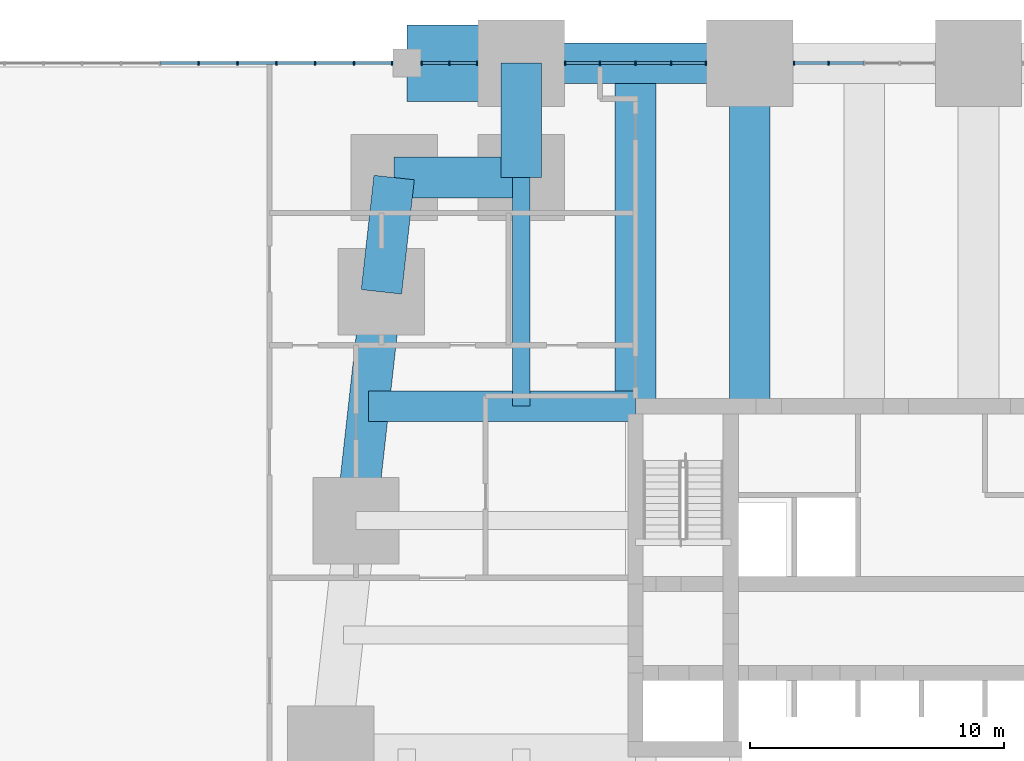
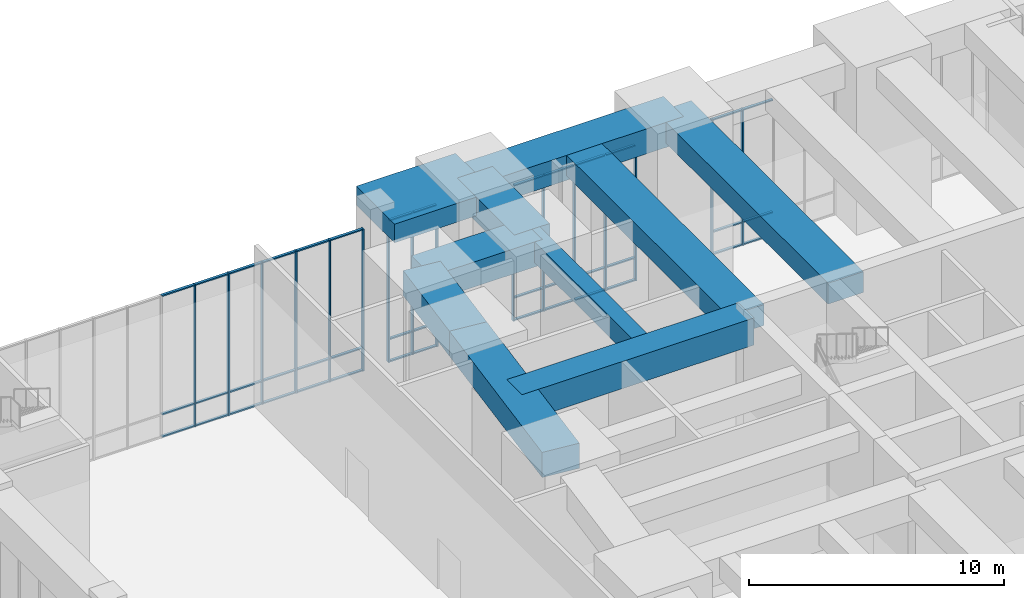
# One storey, part 9 of 26: 58 members, 10 beams, 4 elements without a shape of their own.
"""IFC4 building model written with IfcOpenShell, lengths in metres."""

from ifc_helpers import new_model, si_unit, direction, frame, origin, origin_2d, place, context, subcontext, project, spatial, rectangle, extrude, material, material_profile, profile_set, type_object, element, aggregate, save


model = new_model("IFC4")

# Units and contexts
model_context = context("Model", 3, precision=1e-05, world=origin(), true_north=direction((0.0, 1.0)))
body_context = subcontext(model_context, "Body", "Model", "MODEL_VIEW")
ifc_project = project(units=[si_unit("LENGTHUNIT", "METRE"), si_unit("AREAUNIT", "SQUARE_METRE"), si_unit("VOLUMEUNIT", "CUBIC_METRE"), si_unit("PLANEANGLEUNIT", "RADIAN"), si_unit("MASSUNIT", "GRAM", prefix="KILO")], contexts=[model_context])

# Site, building, storey
site_placement = place(None, origin())
site = spatial("IfcSite", under=ifc_project, at=site_placement, CompositionType="ELEMENT")
building_placement = place(site_placement, origin())
building = spatial("IfcBuilding", under=site, at=building_placement, Name="Kilele Tower Hotel", CompositionType="ELEMENT")
storey_placement = place(building_placement, frame((0.0, 0.0, 11.0)))
storey = spatial("IfcBuildingStorey", under=building, at=storey_placement, Name="L02", CompositionType="ELEMENT", Elevation=11.0)

# Beams
ifc_material_1 = material(Name="Concrete C60/75", Category="concrete")
ifc_material_profile_1 = material_profile(ifc_material_1, rectangle(XDim=1.60009765625, YDim=1.0, at=origin_2d()))
ifc_profile_set_1 = profile_set([ifc_material_profile_1], Name="Concrete C60/75")
beam_type_1 = type_object("IfcBeamType", Name="Beam RC 1600x1000 C60/75", PredefinedType="BEAM", material=ifc_profile_set_1)
for number, where, z_axis, x_axis, name in (
    (1, (18.0, 40.5, 7.199951171875), (0.0, -1.0, 0.0), (1.0, 0.0, 0.0), "Beam BC1 level L03"),
    (2, (13.5, 40.5, 7.199951171875), (0.0, -1.0, 0.0), (1.0, 0.0, 0.0), "Beam BC1 level L03"),
):
    element("IfcBeam", number, at=place(storey_placement, frame(where, z_axis=z_axis, x_axis=x_axis)), inside=storey, type_object=beam_type_1, Name=name, PredefinedType="BEAM", context=body_context, shape_type="SweptSolid", body=[
        extrude(rectangle(XDim=1.60009765625, YDim=1.0, at=origin_2d()), origin(), (0.0, 0.0, 1.0), 13.5),
    ])
ifc_material_2 = material(Name="Concrete C60/75", Category="concrete")
ifc_material_profile_2 = material_profile(ifc_material_2, rectangle(XDim=3.0, YDim=0.89990234375, at=origin_2d()))
ifc_profile_set_2 = profile_set([ifc_material_profile_2], Name="Concrete C60/75")
beam_type_2 = type_object("IfcBeamType", Name="Beam RC 3000x900 C60/75", PredefinedType="BEAM", material=ifc_profile_set_2)
beam_1_placement = place(storey_placement, frame((4.5, 40.5, 7.25), z_axis=(1.0, 0.0, 0.0), x_axis=(0.0, 1.0, 0.0)))
element("IfcBeam", 3, at=beam_1_placement, inside=storey, type_object=beam_type_2, Name="Beam PB1 level L03", PredefinedType="BEAM", context=body_context, shape_type="SweptSolid", body=[
    extrude(rectangle(XDim=3.0, YDim=0.89990234375, at=origin_2d()), origin(), (0.0, 0.0, 1.0), 4.5),
])
ifc_material_3 = material(Name="Concrete C60/75", Category="concrete")
ifc_material_profile_3 = material_profile(ifc_material_3, rectangle(XDim=0.699951171875, YDim=1.0, at=origin_2d()))
ifc_profile_set_3 = profile_set([ifc_material_profile_3], Name="Concrete C60/75")
beam_type_3 = type_object("IfcBeamType", Name="Beam RC 700x1000 C60/75 mid span", PredefinedType="BEAM", material=ifc_profile_set_3)
beam_2_placement = place(storey_placement, frame((9.0, 36.0, 7.199951171875), z_axis=(0.0, -1.0, 0.0), x_axis=(1.0, 0.0, 0.0)))
element("IfcBeam", 4, at=beam_2_placement, inside=storey, type_object=beam_type_3, Name="Beam B5 level L03", PredefinedType="BEAM", context=body_context, shape_type="SweptSolid", body=[
    extrude(rectangle(XDim=0.699951171875, YDim=1.0, at=origin_2d()), origin(), (0.0, 0.0, 1.0), 9.0),
])
ifc_material_4 = material(Name="Concrete C60/75", Category="concrete")
ifc_material_profile_4 = material_profile(ifc_material_4, rectangle(XDim=1.199951171875, YDim=1.300048828125, at=origin_2d()))
ifc_profile_set_4 = profile_set([ifc_material_profile_4], Name="Concrete C60/75")
beam_type_4 = type_object("IfcBeamType", Name="Girder RC 1200x1300 C60/75 mid span", PredefinedType="BEAM", material=ifc_profile_set_4)
beam_3_placement = place(storey_placement, frame((3.0, 27.0, 7.050048828125), z_axis=(1.0, 0.0, 0.0), x_axis=(0.0, 1.0, 0.0)))
element("IfcBeam", 5, at=beam_3_placement, inside=storey, type_object=beam_type_4, Name="Girder G3 level L03", PredefinedType="BEAM", context=body_context, shape_type="SweptSolid", body=[
    extrude(rectangle(XDim=1.199951171875, YDim=1.300048828125, at=origin_2d()), origin(), (0.0, 0.0, 1.0), 10.5),
])

# Curtain wall, members
ifc_material_5 = material(Name="Aluminium curtain wall, clear double glazing", Category="aluminium")
curtain_wall_type = type_object("IfcCurtainWallType", Name="Podium curtain wall CW-1", PredefinedType="NOTDEFINED", material=ifc_material_5)
curtain_wall_1_placement = place(storey_placement, origin())
curtain_wall_1 = element("IfcCurtainWall", 6, at=curtain_wall_1_placement, inside=storey, type_object=curtain_wall_type, Name="Podium curtain wall CW-1 L02", PredefinedType="NOTDEFINED")
ifc_material_6 = material(Name="Aluminium EN AW-6063 T6", Category="aluminium")
ifc_material_profile_5 = material_profile(ifc_material_6, rectangle(XDim=0.159912109375, YDim=0.06005859375, at=origin_2d()))
ifc_profile_set_5 = profile_set([ifc_material_profile_5], Name="Aluminium EN AW-6063 T6")
member_type_1 = type_object("IfcMemberType", Name="Mullion 60x160 CW-1", PredefinedType="MULLION", material=ifc_profile_set_5)
member_1_placement = place(storey_placement, frame((21.10009765625, 40.5, 0.0), z_axis=(0.0, 0.0, 1.0), x_axis=(0.0, -1.0, 0.0)))
member_1 = element("IfcMember", 7, at=member_1_placement, type_object=member_type_1, Name="CW-1 mullion 4", PredefinedType="MULLION", context=body_context, shape_type="SweptSolid", body=[
    extrude(rectangle(XDim=0.159912109375, YDim=0.06005859375, at=origin_2d()), origin(), (0.0, 0.0, 1.0), 6.5),
])
member_2_placement = place(storey_placement, frame((19.72998046875, 40.5, 0.0), z_axis=(0.0, 0.0, 1.0), x_axis=(0.0, -1.0, 0.0)))
member_2 = element("IfcMember", 8, at=member_2_placement, type_object=member_type_1, Name="CW-1 mullion 5", PredefinedType="MULLION", context=body_context, shape_type="SweptSolid", body=[
    extrude(rectangle(XDim=0.159912109375, YDim=0.06005859375, at=origin_2d()), origin(), (0.0, 0.0, 1.0), 6.5),
])

curtain_wall_2_placement = place(storey_placement, origin())
curtain_wall_2 = element("IfcCurtainWall", 9, at=curtain_wall_2_placement, inside=storey, type_object=curtain_wall_type, Name="Podium curtain wall CW-1 L02", PredefinedType="NOTDEFINED")
member_3_placement = place(storey_placement, frame((16.27001953125, 40.5, 0.0), z_axis=(0.0, 0.0, 1.0), x_axis=(0.0, -1.0, 0.0)))
member_3 = element("IfcMember", 10, at=member_3_placement, type_object=member_type_1, Name="CW-1 mullion 1", PredefinedType="MULLION", context=body_context, shape_type="SweptSolid", body=[
    extrude(rectangle(XDim=0.159912109375, YDim=0.06005859375, at=origin_2d()), origin(), (0.0, 0.0, 1.0), 6.5),
])
member_4_placement = place(storey_placement, frame((14.89990234375, 40.5, 0.0), z_axis=(0.0, 0.0, 1.0), x_axis=(0.0, -1.0, 0.0)))
member_4 = element("IfcMember", 11, at=member_4_placement, type_object=member_type_1, Name="CW-1 mullion 2", PredefinedType="MULLION", context=body_context, shape_type="SweptSolid", body=[
    extrude(rectangle(XDim=0.159912109375, YDim=0.06005859375, at=origin_2d()), origin(), (0.0, 0.0, 1.0), 6.5),
])
member_5_placement = place(storey_placement, frame((13.5, 40.5, 0.0), z_axis=(0.0, 0.0, 1.0), x_axis=(0.0, -1.0, 0.0)))
member_5 = element("IfcMember", 12, at=member_5_placement, type_object=member_type_1, Name="CW-1 mullion 3", PredefinedType="MULLION", context=body_context, shape_type="SweptSolid", body=[
    extrude(rectangle(XDim=0.159912109375, YDim=0.06005859375, at=origin_2d()), origin(), (0.0, 0.0, 1.0), 6.5),
])
member_6_placement = place(storey_placement, frame((12.10009765625, 40.5, 0.0), z_axis=(0.0, 0.0, 1.0), x_axis=(0.0, -1.0, 0.0)))
member_6 = element("IfcMember", 13, at=member_6_placement, type_object=member_type_1, Name="CW-1 mullion 4", PredefinedType="MULLION", context=body_context, shape_type="SweptSolid", body=[
    extrude(rectangle(XDim=0.159912109375, YDim=0.06005859375, at=origin_2d()), origin(), (0.0, 0.0, 1.0), 6.5),
])
member_7_placement = place(storey_placement, frame((10.72998046875, 40.5, 0.0), z_axis=(0.0, 0.0, 1.0), x_axis=(0.0, -1.0, 0.0)))
member_7 = element("IfcMember", 14, at=member_7_placement, type_object=member_type_1, Name="CW-1 mullion 5", PredefinedType="MULLION", context=body_context, shape_type="SweptSolid", body=[
    extrude(rectangle(XDim=0.159912109375, YDim=0.06005859375, at=origin_2d()), origin(), (0.0, 0.0, 1.0), 6.5),
])

curtain_wall_3_placement = place(storey_placement, origin())
curtain_wall_3 = element("IfcCurtainWall", 15, at=curtain_wall_3_placement, inside=storey, type_object=curtain_wall_type, Name="Podium curtain wall CW-1 L02", PredefinedType="NOTDEFINED")
member_8_placement = place(storey_placement, frame((7.27001953125, 40.5, 0.0), z_axis=(0.0, 0.0, 1.0), x_axis=(0.0, -1.0, 0.0)))
member_8 = element("IfcMember", 16, at=member_8_placement, type_object=member_type_1, Name="CW-1 mullion 1", PredefinedType="MULLION", context=body_context, shape_type="SweptSolid", body=[
    extrude(rectangle(XDim=0.159912109375, YDim=0.06005859375, at=origin_2d()), origin(), (0.0, 0.0, 1.0), 6.800048828125),
])
member_9_placement = place(storey_placement, frame((6.175048828125, 40.5, 0.0), z_axis=(0.0, 0.0, 1.0), x_axis=(0.0, -1.0, 0.0)))
member_9 = element("IfcMember", 17, at=member_9_placement, type_object=member_type_1, Name="CW-1 mullion 2", PredefinedType="MULLION", context=body_context, shape_type="SweptSolid", body=[
    extrude(rectangle(XDim=0.159912109375, YDim=0.06005859375, at=origin_2d()), origin(), (0.0, 0.0, 1.0), 6.800048828125),
])
member_10_placement = place(storey_placement, frame((5.080078125, 40.5, 0.0), z_axis=(0.0, 0.0, 1.0), x_axis=(0.0, -1.0, 0.0)))
member_10 = element("IfcMember", 18, at=member_10_placement, type_object=member_type_1, Name="CW-1 mullion 3", PredefinedType="MULLION", context=body_context, shape_type="SweptSolid", body=[
    extrude(rectangle(XDim=0.159912109375, YDim=0.06005859375, at=origin_2d()), origin(), (0.0, 0.0, 1.0), 6.800048828125),
])

curtain_wall_4_placement = place(storey_placement, origin())
curtain_wall_4 = element("IfcCurtainWall", 19, at=curtain_wall_4_placement, inside=storey, type_object=curtain_wall_type, Name="Podium curtain wall CW-1 L02", PredefinedType="NOTDEFINED")
member_11_placement = place(storey_placement, frame((3.919921875, 40.5, 0.0), z_axis=(0.0, 0.0, 1.0), x_axis=(0.0, -1.0, 0.0)))
member_11 = element("IfcMember", 20, at=member_11_placement, type_object=member_type_1, Name="CW-1 mullion 1", PredefinedType="MULLION", context=body_context, shape_type="SweptSolid", body=[
    extrude(rectangle(XDim=0.159912109375, YDim=0.06005859375, at=origin_2d()), origin(), (0.0, 0.0, 1.0), 6.800048828125),
])
member_12_placement = place(storey_placement, frame((2.42138671875, 40.5, 0.0), z_axis=(0.0, 0.0, 1.0), x_axis=(0.0, -1.0, 0.0)))
member_12 = element("IfcMember", 21, at=member_12_placement, type_object=member_type_1, Name="CW-1 mullion 2", PredefinedType="MULLION", context=body_context, shape_type="SweptSolid", body=[
    extrude(rectangle(XDim=0.159912109375, YDim=0.06005859375, at=origin_2d()), origin(), (0.0, 0.0, 1.0), 6.800048828125),
])
member_13_placement = place(storey_placement, frame((0.892822265625, 40.5, 0.0), z_axis=(0.0, 0.0, 1.0), x_axis=(0.0, -1.0, 0.0)))
member_13 = element("IfcMember", 22, at=member_13_placement, type_object=member_type_1, Name="CW-1 mullion 3", PredefinedType="MULLION", context=body_context, shape_type="SweptSolid", body=[
    extrude(rectangle(XDim=0.159912109375, YDim=0.06005859375, at=origin_2d()), origin(), (0.0, 0.0, 1.0), 6.800048828125),
])
member_14_placement = place(storey_placement, frame((-0.6357421875, 40.5, 0.0), z_axis=(0.0, 0.0, 1.0), x_axis=(0.0, -1.0, 0.0)))
member_14 = element("IfcMember", 23, at=member_14_placement, type_object=member_type_1, Name="CW-1 mullion 4", PredefinedType="MULLION", context=body_context, shape_type="SweptSolid", body=[
    extrude(rectangle(XDim=0.159912109375, YDim=0.06005859375, at=origin_2d()), origin(), (0.0, 0.0, 1.0), 6.800048828125),
])
member_15_placement = place(storey_placement, frame((-2.164306640625, 40.5, 0.0), z_axis=(0.0, 0.0, 1.0), x_axis=(0.0, -1.0, 0.0)))
member_15 = element("IfcMember", 24, at=member_15_placement, type_object=member_type_1, Name="CW-1 mullion 5", PredefinedType="MULLION", context=body_context, shape_type="SweptSolid", body=[
    extrude(rectangle(XDim=0.159912109375, YDim=0.06005859375, at=origin_2d()), origin(), (0.0, 0.0, 1.0), 6.800048828125),
])
member_16_placement = place(storey_placement, frame((-3.69287109375, 40.5, 0.0), z_axis=(0.0, 0.0, 1.0), x_axis=(0.0, -1.0, 0.0)))
member_16 = element("IfcMember", 25, at=member_16_placement, type_object=member_type_1, Name="CW-1 mullion 6", PredefinedType="MULLION", context=body_context, shape_type="SweptSolid", body=[
    extrude(rectangle(XDim=0.159912109375, YDim=0.06005859375, at=origin_2d()), origin(), (0.0, 0.0, 1.0), 6.800048828125),
])

# Beams
ifc_material_7 = material(Name="Concrete C60/75", Category="concrete")
ifc_material_profile_6 = material_profile(ifc_material_7, rectangle(XDim=1.60009765625, YDim=1.199951171875, at=origin_2d()))
ifc_profile_set_6 = profile_set([ifc_material_profile_6], Name="Concrete C60/75")
beam_type_5 = type_object("IfcBeamType", Name="Spandrel RC 1600x1200 C60/75", PredefinedType="SPANDREL", material=ifc_profile_set_6)
beam_4_placement = place(storey_placement, frame((18.0, 40.5, 7.10009765625), z_axis=(-1.0, 0.0, 0.0), x_axis=(0.0, -1.0, 0.0)))
element("IfcBeam", 26, at=beam_4_placement, inside=storey, type_object=beam_type_5, Name="Spandrel SP11 level L03", PredefinedType="SPANDREL", context=body_context, shape_type="SweptSolid", body=[
    extrude(rectangle(XDim=1.60009765625, YDim=1.199951171875, at=origin_2d()), origin(), (0.0, 0.0, 1.0), 9.0),
])
beam_5_placement = place(storey_placement, frame((9.0, 40.5, 7.10009765625), z_axis=(0.0, -1.0, 0.0), x_axis=(1.0, 0.0, 0.0)))
element("IfcBeam", 27, at=beam_5_placement, inside=storey, type_object=beam_type_5, Name="Spandrel SP11 level L03", PredefinedType="SPANDREL", context=body_context, shape_type="SweptSolid", body=[
    extrude(rectangle(XDim=1.60009765625, YDim=1.199951171875, at=origin_2d()), origin(), (0.0, 0.0, 1.0), 4.5),
])
beam_6_placement = place(storey_placement, frame((9.0, 36.0, 7.10009765625), z_axis=(-1.0, 0.0, 0.0), x_axis=(0.0, -1.0, 0.0)))
element("IfcBeam", 28, at=beam_6_placement, inside=storey, type_object=beam_type_5, Name="Spandrel SP11 level L03", PredefinedType="SPANDREL", context=body_context, shape_type="SweptSolid", body=[
    extrude(rectangle(XDim=1.60009765625, YDim=1.199951171875, at=origin_2d()), origin(), (0.0, 0.0, 1.0), 5.0),
])
beam_7_placement = place(storey_placement, frame((4.0, 36.0, 7.10009765625), z_axis=(-0.110431526075, -0.993883734674, 0.0), x_axis=(0.993883734674, -0.110431526075, 0.0)))
element("IfcBeam", 29, at=beam_7_placement, inside=storey, type_object=beam_type_5, Name="Spandrel SP11 level L03", PredefinedType="SPANDREL", context=body_context, shape_type="SweptSolid", body=[
    extrude(rectangle(XDim=1.60009765625, YDim=1.199951171875, at=origin_2d()), origin(), (0.0, 0.0, 1.0), 4.527587890625),
])
beam_8_placement = place(storey_placement, frame((3.5, 31.5, 7.10009765625), z_axis=(-0.110431526075, -0.993883734674, 0.0), x_axis=(0.993883734674, -0.110431526075, 0.0)))
element("IfcBeam", 30, at=beam_8_placement, inside=storey, type_object=beam_type_5, Name="Spandrel SP11 level L03", PredefinedType="SPANDREL", context=body_context, shape_type="SweptSolid", body=[
    extrude(rectangle(XDim=1.60009765625, YDim=1.199951171875, at=origin_2d()), origin(), (0.0, 0.0, 1.0), 9.055419921875),
])

# Member
ifc_material_8 = material(Name="Aluminium EN AW-6063 T6", Category="aluminium")
ifc_material_profile_7 = material_profile(ifc_material_8, rectangle(XDim=0.1201171875, YDim=0.06005859375, at=origin_2d()))
ifc_profile_set_7 = profile_set([ifc_material_profile_7], Name="Aluminium EN AW-6063 T6")
member_type_2 = type_object("IfcMemberType", Name="Transom 60x120 CW-1", PredefinedType="USERDEFINED", material=ifc_profile_set_7)
member_17_placement = place(storey_placement, frame((22.469970703125, 40.5, 0.030029296875), z_axis=(-1.0, 0.0, 0.0), x_axis=(0.0, -1.0, 0.0)))
member_17 = element("IfcMember", 31, at=member_17_placement, type_object=member_type_2, Name="CW-1 transom 3.1", ObjectType="TRANSOM", PredefinedType="USERDEFINED", context=body_context, shape_type="SweptSolid", body=[
    extrude(rectangle(XDim=0.1201171875, YDim=0.06005859375, at=origin_2d()), origin(), (0.0, 0.0, 1.0), 1.340087890625),
])

member_18_placement = place(storey_placement, frame((22.469970703125, 40.5, 1.10009765625), z_axis=(-1.0, 0.0, 0.0), x_axis=(0.0, -1.0, 0.0)))
member_18 = element("IfcMember", 32, at=member_18_placement, type_object=member_type_2, Name="CW-1 transom 3.2", ObjectType="TRANSOM", PredefinedType="USERDEFINED", context=body_context, shape_type="SweptSolid", body=[
    extrude(rectangle(XDim=0.1201171875, YDim=0.06005859375, at=origin_2d()), origin(), (0.0, 0.0, 1.0), 1.340087890625),
])

member_19_placement = place(storey_placement, frame((22.469970703125, 40.5, 6.469970703125), z_axis=(-1.0, 0.0, 0.0), x_axis=(0.0, -1.0, 0.0)))
member_19 = element("IfcMember", 33, at=member_19_placement, type_object=member_type_2, Name="CW-1 transom 3.3", ObjectType="TRANSOM", PredefinedType="USERDEFINED", context=body_context, shape_type="SweptSolid", body=[
    extrude(rectangle(XDim=0.1201171875, YDim=0.06005859375, at=origin_2d()), origin(), (0.0, 0.0, 1.0), 1.340087890625),
])

member_20_placement = place(storey_placement, frame((21.070068359375, 40.5, 0.030029296875), z_axis=(-1.0, 0.0, 0.0), x_axis=(0.0, -1.0, 0.0)))
member_20 = element("IfcMember", 34, at=member_20_placement, type_object=member_type_2, Name="CW-1 transom 4.1", ObjectType="TRANSOM", PredefinedType="USERDEFINED", context=body_context, shape_type="SweptSolid", body=[
    extrude(rectangle(XDim=0.1201171875, YDim=0.06005859375, at=origin_2d()), origin(), (0.0, 0.0, 1.0), 1.31005859375),
])

member_21_placement = place(storey_placement, frame((21.070068359375, 40.5, 1.10009765625), z_axis=(-1.0, 0.0, 0.0), x_axis=(0.0, -1.0, 0.0)))
member_21 = element("IfcMember", 35, at=member_21_placement, type_object=member_type_2, Name="CW-1 transom 4.2", ObjectType="TRANSOM", PredefinedType="USERDEFINED", context=body_context, shape_type="SweptSolid", body=[
    extrude(rectangle(XDim=0.1201171875, YDim=0.06005859375, at=origin_2d()), origin(), (0.0, 0.0, 1.0), 1.31005859375),
])

member_22_placement = place(storey_placement, frame((21.070068359375, 40.5, 6.469970703125), z_axis=(-1.0, 0.0, 0.0), x_axis=(0.0, -1.0, 0.0)))
member_22 = element("IfcMember", 36, at=member_22_placement, type_object=member_type_2, Name="CW-1 transom 4.3", ObjectType="TRANSOM", PredefinedType="USERDEFINED", context=body_context, shape_type="SweptSolid", body=[
    extrude(rectangle(XDim=0.1201171875, YDim=0.06005859375, at=origin_2d()), origin(), (0.0, 0.0, 1.0), 1.31005859375),
])

aggregate(curtain_wall_1, [member_1, member_2, member_17, member_18, member_19, member_20, member_21, member_22])

member_23_placement = place(storey_placement, frame((16.239990234375, 40.5, 0.030029296875), z_axis=(-1.0, 0.0, 0.0), x_axis=(0.0, -1.0, 0.0)))
member_23 = element("IfcMember", 37, at=member_23_placement, type_object=member_type_2, Name="CW-1 transom 1.1", ObjectType="TRANSOM", PredefinedType="USERDEFINED", context=body_context, shape_type="SweptSolid", body=[
    extrude(rectangle(XDim=0.1201171875, YDim=0.06005859375, at=origin_2d()), origin(), (0.0, 0.0, 1.0), 1.31005859375),
])

member_24_placement = place(storey_placement, frame((16.239990234375, 40.5, 1.10009765625), z_axis=(-1.0, 0.0, 0.0), x_axis=(0.0, -1.0, 0.0)))
member_24 = element("IfcMember", 38, at=member_24_placement, type_object=member_type_2, Name="CW-1 transom 1.2", ObjectType="TRANSOM", PredefinedType="USERDEFINED", context=body_context, shape_type="SweptSolid", body=[
    extrude(rectangle(XDim=0.1201171875, YDim=0.06005859375, at=origin_2d()), origin(), (0.0, 0.0, 1.0), 1.31005859375),
])

member_25_placement = place(storey_placement, frame((16.239990234375, 40.5, 6.469970703125), z_axis=(-1.0, 0.0, 0.0), x_axis=(0.0, -1.0, 0.0)))
member_25 = element("IfcMember", 39, at=member_25_placement, type_object=member_type_2, Name="CW-1 transom 1.3", ObjectType="TRANSOM", PredefinedType="USERDEFINED", context=body_context, shape_type="SweptSolid", body=[
    extrude(rectangle(XDim=0.1201171875, YDim=0.06005859375, at=origin_2d()), origin(), (0.0, 0.0, 1.0), 1.31005859375),
])

member_26_placement = place(storey_placement, frame((14.8701171875, 40.5, 0.030029296875), z_axis=(-1.0, 0.0, 0.0), x_axis=(0.0, -1.0, 0.0)))
member_26 = element("IfcMember", 40, at=member_26_placement, type_object=member_type_2, Name="CW-1 transom 2.1", ObjectType="TRANSOM", PredefinedType="USERDEFINED", context=body_context, shape_type="SweptSolid", body=[
    extrude(rectangle(XDim=0.1201171875, YDim=0.06005859375, at=origin_2d()), origin(), (0.0, 0.0, 1.0), 1.340087890625),
])

member_27_placement = place(storey_placement, frame((14.8701171875, 40.5, 1.10009765625), z_axis=(-1.0, 0.0, 0.0), x_axis=(0.0, -1.0, 0.0)))
member_27 = element("IfcMember", 41, at=member_27_placement, type_object=member_type_2, Name="CW-1 transom 2.2", ObjectType="TRANSOM", PredefinedType="USERDEFINED", context=body_context, shape_type="SweptSolid", body=[
    extrude(rectangle(XDim=0.1201171875, YDim=0.06005859375, at=origin_2d()), origin(), (0.0, 0.0, 1.0), 1.340087890625),
])

member_28_placement = place(storey_placement, frame((14.8701171875, 40.5, 6.469970703125), z_axis=(-1.0, 0.0, 0.0), x_axis=(0.0, -1.0, 0.0)))
member_28 = element("IfcMember", 42, at=member_28_placement, type_object=member_type_2, Name="CW-1 transom 2.3", ObjectType="TRANSOM", PredefinedType="USERDEFINED", context=body_context, shape_type="SweptSolid", body=[
    extrude(rectangle(XDim=0.1201171875, YDim=0.06005859375, at=origin_2d()), origin(), (0.0, 0.0, 1.0), 1.340087890625),
])

member_29_placement = place(storey_placement, frame((13.469970703125, 40.5, 0.030029296875), z_axis=(-1.0, 0.0, 0.0), x_axis=(0.0, -1.0, 0.0)))
member_29 = element("IfcMember", 43, at=member_29_placement, type_object=member_type_2, Name="CW-1 transom 3.1", ObjectType="TRANSOM", PredefinedType="USERDEFINED", context=body_context, shape_type="SweptSolid", body=[
    extrude(rectangle(XDim=0.1201171875, YDim=0.06005859375, at=origin_2d()), origin(), (0.0, 0.0, 1.0), 1.340087890625),
])

member_30_placement = place(storey_placement, frame((13.469970703125, 40.5, 1.10009765625), z_axis=(-1.0, 0.0, 0.0), x_axis=(0.0, -1.0, 0.0)))
member_30 = element("IfcMember", 44, at=member_30_placement, type_object=member_type_2, Name="CW-1 transom 3.2", ObjectType="TRANSOM", PredefinedType="USERDEFINED", context=body_context, shape_type="SweptSolid", body=[
    extrude(rectangle(XDim=0.1201171875, YDim=0.06005859375, at=origin_2d()), origin(), (0.0, 0.0, 1.0), 1.340087890625),
])

member_31_placement = place(storey_placement, frame((13.469970703125, 40.5, 6.469970703125), z_axis=(-1.0, 0.0, 0.0), x_axis=(0.0, -1.0, 0.0)))
member_31 = element("IfcMember", 45, at=member_31_placement, type_object=member_type_2, Name="CW-1 transom 3.3", ObjectType="TRANSOM", PredefinedType="USERDEFINED", context=body_context, shape_type="SweptSolid", body=[
    extrude(rectangle(XDim=0.1201171875, YDim=0.06005859375, at=origin_2d()), origin(), (0.0, 0.0, 1.0), 1.340087890625),
])

member_32_placement = place(storey_placement, frame((12.070068359375, 40.5, 0.030029296875), z_axis=(-1.0, 0.0, 0.0), x_axis=(0.0, -1.0, 0.0)))
member_32 = element("IfcMember", 46, at=member_32_placement, type_object=member_type_2, Name="CW-1 transom 4.1", ObjectType="TRANSOM", PredefinedType="USERDEFINED", context=body_context, shape_type="SweptSolid", body=[
    extrude(rectangle(XDim=0.1201171875, YDim=0.06005859375, at=origin_2d()), origin(), (0.0, 0.0, 1.0), 1.31005859375),
])

member_33_placement = place(storey_placement, frame((12.070068359375, 40.5, 1.10009765625), z_axis=(-1.0, 0.0, 0.0), x_axis=(0.0, -1.0, 0.0)))
member_33 = element("IfcMember", 47, at=member_33_placement, type_object=member_type_2, Name="CW-1 transom 4.2", ObjectType="TRANSOM", PredefinedType="USERDEFINED", context=body_context, shape_type="SweptSolid", body=[
    extrude(rectangle(XDim=0.1201171875, YDim=0.06005859375, at=origin_2d()), origin(), (0.0, 0.0, 1.0), 1.31005859375),
])

member_34_placement = place(storey_placement, frame((12.070068359375, 40.5, 6.469970703125), z_axis=(-1.0, 0.0, 0.0), x_axis=(0.0, -1.0, 0.0)))
member_34 = element("IfcMember", 48, at=member_34_placement, type_object=member_type_2, Name="CW-1 transom 4.3", ObjectType="TRANSOM", PredefinedType="USERDEFINED", context=body_context, shape_type="SweptSolid", body=[
    extrude(rectangle(XDim=0.1201171875, YDim=0.06005859375, at=origin_2d()), origin(), (0.0, 0.0, 1.0), 1.31005859375),
])

aggregate(curtain_wall_2, [member_3, member_4, member_5, member_6, member_7, member_23, member_24, member_25, member_26, member_27, member_28, member_29, member_30, member_31, member_32, member_33, member_34])

member_35_placement = place(storey_placement, frame((7.239990234375, 40.5, 0.030029296875), z_axis=(-1.0, 0.0, 0.0), x_axis=(0.0, -1.0, 0.0)))
member_35 = element("IfcMember", 49, at=member_35_placement, type_object=member_type_2, Name="CW-1 transom 1.1", ObjectType="TRANSOM", PredefinedType="USERDEFINED", context=body_context, shape_type="SweptSolid", body=[
    extrude(rectangle(XDim=0.1201171875, YDim=0.06005859375, at=origin_2d()), origin(), (0.0, 0.0, 1.0), 1.034912109375),
])

member_36_placement = place(storey_placement, frame((7.239990234375, 40.5, 1.10009765625), z_axis=(-1.0, 0.0, 0.0), x_axis=(0.0, -1.0, 0.0)))
member_36 = element("IfcMember", 50, at=member_36_placement, type_object=member_type_2, Name="CW-1 transom 1.2", ObjectType="TRANSOM", PredefinedType="USERDEFINED", context=body_context, shape_type="SweptSolid", body=[
    extrude(rectangle(XDim=0.1201171875, YDim=0.06005859375, at=origin_2d()), origin(), (0.0, 0.0, 1.0), 1.034912109375),
])

member_37_placement = place(storey_placement, frame((7.239990234375, 40.5, 6.77001953125), z_axis=(-1.0, 0.0, 0.0), x_axis=(0.0, -1.0, 0.0)))
member_37 = element("IfcMember", 51, at=member_37_placement, type_object=member_type_2, Name="CW-1 transom 1.3", ObjectType="TRANSOM", PredefinedType="USERDEFINED", context=body_context, shape_type="SweptSolid", body=[
    extrude(rectangle(XDim=0.1201171875, YDim=0.06005859375, at=origin_2d()), origin(), (0.0, 0.0, 1.0), 1.034912109375),
])

member_38_placement = place(storey_placement, frame((6.14501953125, 40.5, 0.030029296875), z_axis=(-1.0, 0.0, 0.0), x_axis=(0.0, -1.0, 0.0)))
member_38 = element("IfcMember", 52, at=member_38_placement, type_object=member_type_2, Name="CW-1 transom 2.1", ObjectType="TRANSOM", PredefinedType="USERDEFINED", context=body_context, shape_type="SweptSolid", body=[
    extrude(rectangle(XDim=0.1201171875, YDim=0.06005859375, at=origin_2d()), origin(), (0.0, 0.0, 1.0), 1.034912109375),
])

member_39_placement = place(storey_placement, frame((6.14501953125, 40.5, 1.10009765625), z_axis=(-1.0, 0.0, 0.0), x_axis=(0.0, -1.0, 0.0)))
member_39 = element("IfcMember", 53, at=member_39_placement, type_object=member_type_2, Name="CW-1 transom 2.2", ObjectType="TRANSOM", PredefinedType="USERDEFINED", context=body_context, shape_type="SweptSolid", body=[
    extrude(rectangle(XDim=0.1201171875, YDim=0.06005859375, at=origin_2d()), origin(), (0.0, 0.0, 1.0), 1.034912109375),
])

member_40_placement = place(storey_placement, frame((6.14501953125, 40.5, 6.77001953125), z_axis=(-1.0, 0.0, 0.0), x_axis=(0.0, -1.0, 0.0)))
member_40 = element("IfcMember", 54, at=member_40_placement, type_object=member_type_2, Name="CW-1 transom 2.3", ObjectType="TRANSOM", PredefinedType="USERDEFINED", context=body_context, shape_type="SweptSolid", body=[
    extrude(rectangle(XDim=0.1201171875, YDim=0.06005859375, at=origin_2d()), origin(), (0.0, 0.0, 1.0), 1.034912109375),
])

aggregate(curtain_wall_3, [member_8, member_9, member_10, member_35, member_36, member_37, member_38, member_39, member_40])

member_41_placement = place(storey_placement, frame((3.889892578125, 40.5, 0.030029296875), z_axis=(-1.0, 0.0, 0.0), x_axis=(0.0, -1.0, 0.0)))
member_41 = element("IfcMember", 55, at=member_41_placement, type_object=member_type_2, Name="CW-1 transom 1.1", ObjectType="TRANSOM", PredefinedType="USERDEFINED", context=body_context, shape_type="SweptSolid", body=[
    extrude(rectangle(XDim=0.1201171875, YDim=0.06005859375, at=origin_2d()), origin(), (0.0, 0.0, 1.0), 1.4384765625),
])

member_42_placement = place(storey_placement, frame((3.889892578125, 40.5, 1.10009765625), z_axis=(-1.0, 0.0, 0.0), x_axis=(0.0, -1.0, 0.0)))
member_42 = element("IfcMember", 56, at=member_42_placement, type_object=member_type_2, Name="CW-1 transom 1.2", ObjectType="TRANSOM", PredefinedType="USERDEFINED", context=body_context, shape_type="SweptSolid", body=[
    extrude(rectangle(XDim=0.1201171875, YDim=0.06005859375, at=origin_2d()), origin(), (0.0, 0.0, 1.0), 1.4384765625),
])

member_43_placement = place(storey_placement, frame((3.889892578125, 40.5, 6.77001953125), z_axis=(-1.0, 0.0, 0.0), x_axis=(0.0, -1.0, 0.0)))
member_43 = element("IfcMember", 57, at=member_43_placement, type_object=member_type_2, Name="CW-1 transom 1.3", ObjectType="TRANSOM", PredefinedType="USERDEFINED", context=body_context, shape_type="SweptSolid", body=[
    extrude(rectangle(XDim=0.1201171875, YDim=0.06005859375, at=origin_2d()), origin(), (0.0, 0.0, 1.0), 1.4384765625),
])

member_44_placement = place(storey_placement, frame((2.391357421875, 40.5, 0.030029296875), z_axis=(-1.0, 0.0, 0.0), x_axis=(0.0, -1.0, 0.0)))
member_44 = element("IfcMember", 58, at=member_44_placement, type_object=member_type_2, Name="CW-1 transom 2.1", ObjectType="TRANSOM", PredefinedType="USERDEFINED", context=body_context, shape_type="SweptSolid", body=[
    extrude(rectangle(XDim=0.1201171875, YDim=0.06005859375, at=origin_2d()), origin(), (0.0, 0.0, 1.0), 1.468505859375),
])

member_45_placement = place(storey_placement, frame((2.391357421875, 40.5, 1.10009765625), z_axis=(-1.0, 0.0, 0.0), x_axis=(0.0, -1.0, 0.0)))
member_45 = element("IfcMember", 59, at=member_45_placement, type_object=member_type_2, Name="CW-1 transom 2.2", ObjectType="TRANSOM", PredefinedType="USERDEFINED", context=body_context, shape_type="SweptSolid", body=[
    extrude(rectangle(XDim=0.1201171875, YDim=0.06005859375, at=origin_2d()), origin(), (0.0, 0.0, 1.0), 1.468505859375),
])

member_46_placement = place(storey_placement, frame((2.391357421875, 40.5, 6.77001953125), z_axis=(-1.0, 0.0, 0.0), x_axis=(0.0, -1.0, 0.0)))
member_46 = element("IfcMember", 60, at=member_46_placement, type_object=member_type_2, Name="CW-1 transom 2.3", ObjectType="TRANSOM", PredefinedType="USERDEFINED", context=body_context, shape_type="SweptSolid", body=[
    extrude(rectangle(XDim=0.1201171875, YDim=0.06005859375, at=origin_2d()), origin(), (0.0, 0.0, 1.0), 1.468505859375),
])

member_47_placement = place(storey_placement, frame((0.86279296875, 40.5, 0.030029296875), z_axis=(-1.0, 0.0, 0.0), x_axis=(0.0, -1.0, 0.0)))
member_47 = element("IfcMember", 61, at=member_47_placement, type_object=member_type_2, Name="CW-1 transom 3.1", ObjectType="TRANSOM", PredefinedType="USERDEFINED", context=body_context, shape_type="SweptSolid", body=[
    extrude(rectangle(XDim=0.1201171875, YDim=0.06005859375, at=origin_2d()), origin(), (0.0, 0.0, 1.0), 1.468505859375),
])

member_48_placement = place(storey_placement, frame((0.86279296875, 40.5, 1.10009765625), z_axis=(-1.0, 0.0, 0.0), x_axis=(0.0, -1.0, 0.0)))
member_48 = element("IfcMember", 62, at=member_48_placement, type_object=member_type_2, Name="CW-1 transom 3.2", ObjectType="TRANSOM", PredefinedType="USERDEFINED", context=body_context, shape_type="SweptSolid", body=[
    extrude(rectangle(XDim=0.1201171875, YDim=0.06005859375, at=origin_2d()), origin(), (0.0, 0.0, 1.0), 1.468505859375),
])

member_49_placement = place(storey_placement, frame((0.86279296875, 40.5, 6.77001953125), z_axis=(-1.0, 0.0, 0.0), x_axis=(0.0, -1.0, 0.0)))
member_49 = element("IfcMember", 63, at=member_49_placement, type_object=member_type_2, Name="CW-1 transom 3.3", ObjectType="TRANSOM", PredefinedType="USERDEFINED", context=body_context, shape_type="SweptSolid", body=[
    extrude(rectangle(XDim=0.1201171875, YDim=0.06005859375, at=origin_2d()), origin(), (0.0, 0.0, 1.0), 1.468505859375),
])

member_50_placement = place(storey_placement, frame((-0.665771484375, 40.5, 0.030029296875), z_axis=(-1.0, 0.0, 0.0), x_axis=(0.0, -1.0, 0.0)))
member_50 = element("IfcMember", 64, at=member_50_placement, type_object=member_type_2, Name="CW-1 transom 4.1", ObjectType="TRANSOM", PredefinedType="USERDEFINED", context=body_context, shape_type="SweptSolid", body=[
    extrude(rectangle(XDim=0.1201171875, YDim=0.06005859375, at=origin_2d()), origin(), (0.0, 0.0, 1.0), 1.468505859375),
])

member_51_placement = place(storey_placement, frame((-0.665771484375, 40.5, 1.10009765625), z_axis=(-1.0, 0.0, 0.0), x_axis=(0.0, -1.0, 0.0)))
member_51 = element("IfcMember", 65, at=member_51_placement, type_object=member_type_2, Name="CW-1 transom 4.2", ObjectType="TRANSOM", PredefinedType="USERDEFINED", context=body_context, shape_type="SweptSolid", body=[
    extrude(rectangle(XDim=0.1201171875, YDim=0.06005859375, at=origin_2d()), origin(), (0.0, 0.0, 1.0), 1.468505859375),
])

member_52_placement = place(storey_placement, frame((-0.665771484375, 40.5, 6.77001953125), z_axis=(-1.0, 0.0, 0.0), x_axis=(0.0, -1.0, 0.0)))
member_52 = element("IfcMember", 66, at=member_52_placement, type_object=member_type_2, Name="CW-1 transom 4.3", ObjectType="TRANSOM", PredefinedType="USERDEFINED", context=body_context, shape_type="SweptSolid", body=[
    extrude(rectangle(XDim=0.1201171875, YDim=0.06005859375, at=origin_2d()), origin(), (0.0, 0.0, 1.0), 1.468505859375),
])

member_53_placement = place(storey_placement, frame((-2.1943359375, 40.5, 0.030029296875), z_axis=(-1.0, 0.0, 0.0), x_axis=(0.0, -1.0, 0.0)))
member_53 = element("IfcMember", 67, at=member_53_placement, type_object=member_type_2, Name="CW-1 transom 5.1", ObjectType="TRANSOM", PredefinedType="USERDEFINED", context=body_context, shape_type="SweptSolid", body=[
    extrude(rectangle(XDim=0.1201171875, YDim=0.06005859375, at=origin_2d()), origin(), (0.0, 0.0, 1.0), 1.468505859375),
])

member_54_placement = place(storey_placement, frame((-2.1943359375, 40.5, 1.10009765625), z_axis=(-1.0, 0.0, 0.0), x_axis=(0.0, -1.0, 0.0)))
member_54 = element("IfcMember", 68, at=member_54_placement, type_object=member_type_2, Name="CW-1 transom 5.2", ObjectType="TRANSOM", PredefinedType="USERDEFINED", context=body_context, shape_type="SweptSolid", body=[
    extrude(rectangle(XDim=0.1201171875, YDim=0.06005859375, at=origin_2d()), origin(), (0.0, 0.0, 1.0), 1.468505859375),
])

member_55_placement = place(storey_placement, frame((-2.1943359375, 40.5, 6.77001953125), z_axis=(-1.0, 0.0, 0.0), x_axis=(0.0, -1.0, 0.0)))
member_55 = element("IfcMember", 69, at=member_55_placement, type_object=member_type_2, Name="CW-1 transom 5.3", ObjectType="TRANSOM", PredefinedType="USERDEFINED", context=body_context, shape_type="SweptSolid", body=[
    extrude(rectangle(XDim=0.1201171875, YDim=0.06005859375, at=origin_2d()), origin(), (0.0, 0.0, 1.0), 1.468505859375),
])

member_56_placement = place(storey_placement, frame((-3.722900390625, 40.5, 0.030029296875), z_axis=(-1.0, 0.0, 0.0), x_axis=(0.0, -1.0, 0.0)))
member_56 = element("IfcMember", 70, at=member_56_placement, type_object=member_type_2, Name="CW-1 transom 6.1", ObjectType="TRANSOM", PredefinedType="USERDEFINED", context=body_context, shape_type="SweptSolid", body=[
    extrude(rectangle(XDim=0.1201171875, YDim=0.06005859375, at=origin_2d()), origin(), (0.0, 0.0, 1.0), 1.468505859375),
])

member_57_placement = place(storey_placement, frame((-3.722900390625, 40.5, 1.10009765625), z_axis=(-1.0, 0.0, 0.0), x_axis=(0.0, -1.0, 0.0)))
member_57 = element("IfcMember", 71, at=member_57_placement, type_object=member_type_2, Name="CW-1 transom 6.2", ObjectType="TRANSOM", PredefinedType="USERDEFINED", context=body_context, shape_type="SweptSolid", body=[
    extrude(rectangle(XDim=0.1201171875, YDim=0.06005859375, at=origin_2d()), origin(), (0.0, 0.0, 1.0), 1.468505859375),
])

member_58_placement = place(storey_placement, frame((-3.722900390625, 40.5, 6.77001953125), z_axis=(-1.0, 0.0, 0.0), x_axis=(0.0, -1.0, 0.0)))
member_58 = element("IfcMember", 72, at=member_58_placement, type_object=member_type_2, Name="CW-1 transom 6.3", ObjectType="TRANSOM", PredefinedType="USERDEFINED", context=body_context, shape_type="SweptSolid", body=[
    extrude(rectangle(XDim=0.1201171875, YDim=0.06005859375, at=origin_2d()), origin(), (0.0, 0.0, 1.0), 1.468505859375),
])

aggregate(curtain_wall_4, [member_11, member_12, member_13, member_14, member_15, member_16, member_41, member_42, member_43, member_44, member_45, member_46, member_47, member_48, member_49, member_50, member_51, member_52, member_53, member_54, member_55, member_56, member_57, member_58])

save(model, "model.ifc")
